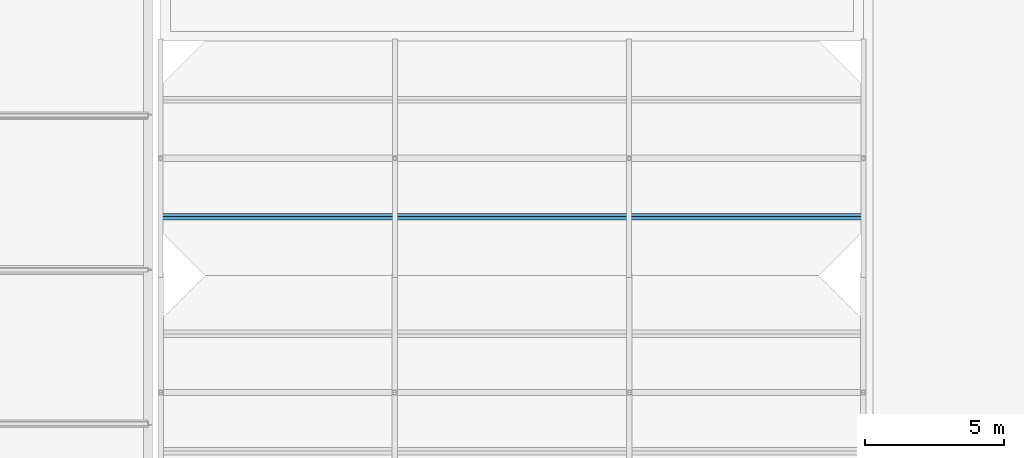
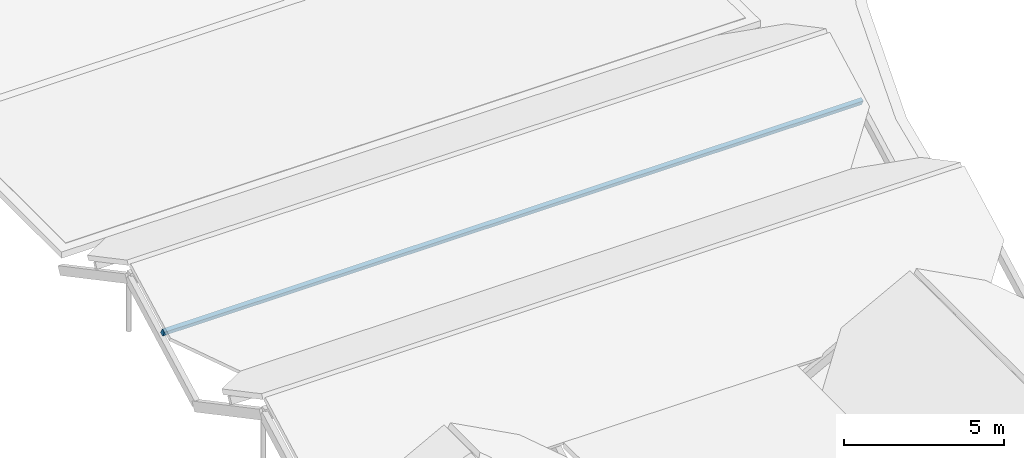
# One storey, part 34 of 82: 1 member.
"""IFC4 building model written with IfcOpenShell, lengths in metres."""

from ifc_helpers import new_model, si_unit, direction, frame, origin, origin_2d, place, context, subcontext, project, spatial, rectangle, extrude, material, material_profile, profile_set, type_object, element, save


model = new_model("IFC4")

# Units and contexts
model_context = context("Model", 3, precision=1e-05, world=origin(), true_north=direction((0.0, 1.0)))
body_context = subcontext(model_context, "Body", "Model", "MODEL_VIEW")
ifc_project = project(units=[si_unit("LENGTHUNIT", "METRE"), si_unit("AREAUNIT", "SQUARE_METRE"), si_unit("VOLUMEUNIT", "CUBIC_METRE"), si_unit("PLANEANGLEUNIT", "RADIAN"), si_unit("MASSUNIT", "GRAM", prefix="KILO")], contexts=[model_context])

# Site, building, storey
site_placement = place(None, origin())
site = spatial("IfcSite", under=ifc_project, at=site_placement, CompositionType="ELEMENT")
building_placement = place(site_placement, origin())
building = spatial("IfcBuilding", under=site, at=building_placement, Name="Bramfleet General Hospital", CompositionType="ELEMENT")
storey_placement = place(building_placement, frame((0.0, 0.0, 34.199951171875)))
storey = spatial("IfcBuildingStorey", under=building, at=storey_placement, Name="Roof", CompositionType="ELEMENT", Elevation=34.199951171875)

# Member
ifc_material = material(Name="Structural timber GL28h", Category="wood")
ifc_material_profile = material_profile(ifc_material, rectangle(XDim=0.139892578125, YDim=0.239990234375, at=origin_2d()), Name="GL28h 240x140")
ifc_profile_set = profile_set([ifc_material_profile], Name="Structural timber GL28h")
member_type = type_object("IfcMemberType", Name="MEM-PR-GL240", PredefinedType="PURLIN", material=ifc_profile_set)
member_placement = place(storey_placement, frame((92.39990234375, 35.699951171875, 0.754638671875), z_axis=(1.0, 0.0, 0.0), x_axis=(0.0, 0.882947592859, 0.469471562786)))
element("IfcMember", 1, at=member_placement, inside=storey, type_object=member_type, Name="Patient House PH-10 South Glulam Purlin", PredefinedType="PURLIN", context=body_context, shape_type="SweptSolid", body=[
    extrude(rectangle(XDim=0.139892578125, YDim=0.239990234375, at=origin_2d()), origin(), (0.0, 0.0, 1.0), 25.2001953125),
])

save(model, "model.ifc")
